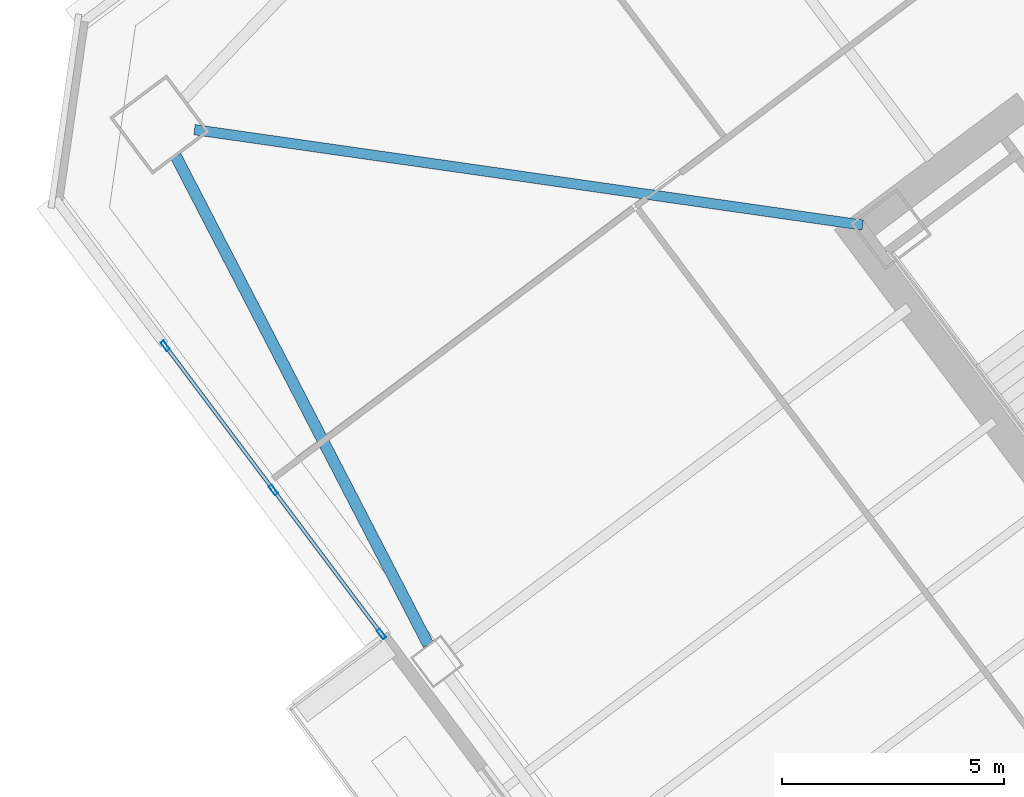
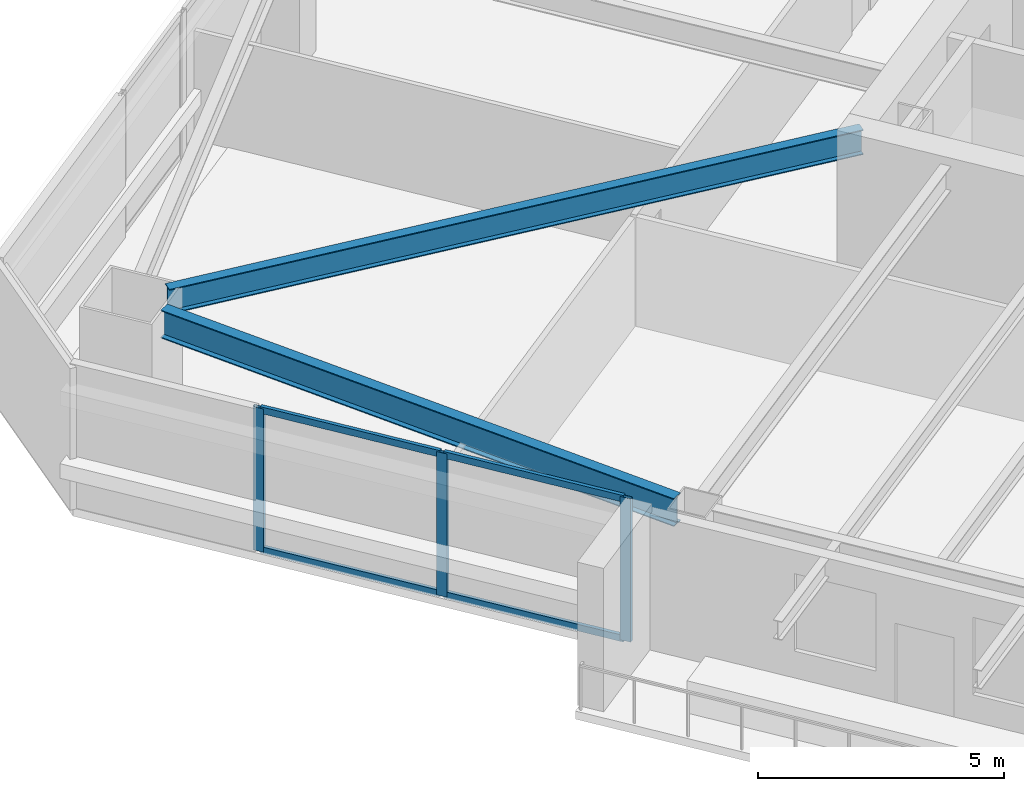
# One storey, part 21 of 46: 7 members, 2 beams, 1 element without a shape of its own.
"""IFC4 building model written with IfcOpenShell, lengths in metres."""

from ifc_helpers import new_model, si_unit, direction, frame, origin, origin_2d, place, context, subcontext, project, spatial, hollow_rectangle, i_section, extrude, material, material_profile, profile_set, type_object, element, aggregate, save


model = new_model("IFC4")

# Units and contexts
model_context = context("Model", 3, precision=1e-05, world=origin(), true_north=direction((0.0, 1.0)))
body_context = subcontext(model_context, "Body", "Model", "MODEL_VIEW")
ifc_project = project(units=[si_unit("LENGTHUNIT", "METRE"), si_unit("AREAUNIT", "SQUARE_METRE"), si_unit("VOLUMEUNIT", "CUBIC_METRE"), si_unit("PLANEANGLEUNIT", "RADIAN"), si_unit("MASSUNIT", "GRAM", prefix="KILO")], contexts=[model_context])

# Site, building, storey
site_placement = place(None, origin())
site = spatial("IfcSite", under=ifc_project, at=site_placement, CompositionType="ELEMENT")
building_placement = place(site_placement, origin())
building = spatial("IfcBuilding", under=site, at=building_placement, Name="Tashvorn Skyway Center", CompositionType="ELEMENT")
storey_placement = place(building_placement, frame((0.0, 0.0, 60.10009765625)))
storey = spatial("IfcBuildingStorey", under=building, at=storey_placement, Name="L15", CompositionType="ELEMENT", Elevation=60.10009765625)

# Beams
ifc_material_1 = material(Name="Steel ASTM A992 Grade 50", Category="steel")
ifc_material_profile_1 = material_profile(ifc_material_1, i_section(OverallWidth=0.22998046875, OverallDepth=0.616943359375, WebThickness=0.01318359375, FlangeThickness=0.022216796875, at=origin_2d()), Name="W24X94")
ifc_profile_set_1 = profile_set([ifc_material_profile_1], Name="Steel ASTM A992 Grade 50")
beam_type_1 = type_object("IfcBeamType", Name="BM-BEAM-W24X94", PredefinedType="BEAM", material=ifc_profile_set_1)
beam_1_placement = place(storey_placement, frame((88.467041015625, 35.6474609375, 3.04150390625), z_axis=(0.989950458816, -0.141414599991, 0.0), x_axis=(0.141414599991, 0.989950458816, 0.0)))
element("IfcBeam", 1, at=beam_1_placement, inside=storey, type_object=beam_type_1, Name="Tower 2 L15 Primary Floor Girder MC-NW", PredefinedType="BEAM", context=body_context, shape_type="SweptSolid", body=[
    extrude(i_section(OverallWidth=0.22998046875, OverallDepth=0.616943359375, WebThickness=0.01318359375, FlangeThickness=0.022216796875, at=origin_2d()), origin(), (0.0, 0.0, 1.0), 15.177001953125),
])
ifc_material_profile_2 = material_profile(ifc_material_1, i_section(OverallWidth=0.256103515625, OverallDepth=0.693115234375, WebThickness=0.014404296875, FlangeThickness=0.023681640625, at=origin_2d()), Name="W27X114")
ifc_profile_set_2 = profile_set([ifc_material_profile_2], Name="Steel ASTM A992 Grade 50")
beam_type_2 = type_object("IfcBeamType", Name="BM-SPANDREL-W27X114", PredefinedType="SPANDREL", material=ifc_profile_set_2)
beam_2_placement = place(storey_placement, frame((88.045166015625, 35.0537109375, 3.00341796875), z_axis=(0.459233413919, -0.888315637339, 0.0), x_axis=(0.888315637339, 0.459233413919, 0.0)))
element("IfcBeam", 2, at=beam_2_placement, inside=storey, type_object=beam_type_2, Name="Tower 2 L15 Spandrel Beam 10", PredefinedType="SPANDREL", context=body_context, shape_type="SweptSolid", body=[
    extrude(i_section(OverallWidth=0.256103515625, OverallDepth=0.693115234375, WebThickness=0.014404296875, FlangeThickness=0.023681640625, at=origin_2d()), origin(), (0.0, 0.0, 1.0), 12.37255859375),
])

# Curtain wall, members
ifc_material_2 = material(Name="Thermally broken bronze-anodized aluminium 6063-T6", Category="aluminium")
curtain_wall_type = type_object("IfcCurtainWallType", Name="CW-CW-Z1", PredefinedType="NOTDEFINED", material=ifc_material_2)
curtain_wall_placement = place(storey_placement, origin())
curtain_wall = element("IfcCurtainWall", 3, at=curtain_wall_placement, inside=storey, type_object=curtain_wall_type, Name="Tower 2 L15 West Curtain Wall R Glazing Group 1", PredefinedType="NOTDEFINED")
ifc_material_profile_3 = material_profile(ifc_material_2, hollow_rectangle(XDim=0.0849609375, YDim=0.239990234375, WallThickness=0.0048828125, at=origin_2d()), Name="ALU-MULL-85x240")
ifc_profile_set_3 = profile_set([ifc_material_profile_3], Name="Thermally broken bronze-anodized aluminium 6063-T6")
member_type_1 = type_object("IfcMemberType", Name="CWM-CW-Z1", PredefinedType="MULLION", material=ifc_profile_set_3)
member_1_placement = place(storey_placement, frame((92.67041015625, 24.305908203125, 0.0), z_axis=(0.0, 0.0, 1.0), x_axis=(-0.799998534192, -0.600001954406, 0.0)))
member_1 = element("IfcMember", 4, at=member_1_placement, type_object=member_type_1, Name="CW-Z1 mullion 1", PredefinedType="MULLION", context=body_context, shape_type="SweptSolid", body=[
    extrude(hollow_rectangle(XDim=0.0849609375, YDim=0.239990234375, WallThickness=0.0048828125, at=origin_2d()), origin(), (0.0, 0.0, 1.0), 3.5498046875),
])
member_2_placement = place(storey_placement, frame((90.239990234375, 27.546630859375, 0.0), z_axis=(0.0, 0.0, 1.0), x_axis=(-0.799998534192, -0.600001954406, 0.0)))
member_2 = element("IfcMember", 5, at=member_2_placement, type_object=member_type_1, Name="CW-Z1 mullion 2", PredefinedType="MULLION", context=body_context, shape_type="SweptSolid", body=[
    extrude(hollow_rectangle(XDim=0.0849609375, YDim=0.239990234375, WallThickness=0.0048828125, at=origin_2d()), origin(), (0.0, 0.0, 1.0), 3.5498046875),
])
member_3_placement = place(storey_placement, frame((87.8095703125, 30.787353515625, 0.0), z_axis=(0.0, 0.0, 1.0), x_axis=(-0.799998534192, -0.600001954406, 0.0)))
member_3 = element("IfcMember", 6, at=member_3_placement, type_object=member_type_1, Name="CW-Z1 mullion 3", PredefinedType="MULLION", context=body_context, shape_type="SweptSolid", body=[
    extrude(hollow_rectangle(XDim=0.0849609375, YDim=0.239990234375, WallThickness=0.0048828125, at=origin_2d()), origin(), (0.0, 0.0, 1.0), 3.5498046875),
])
ifc_material_profile_4 = material_profile(ifc_material_2, hollow_rectangle(XDim=0.0849609375, YDim=0.1650390625, WallThickness=0.0048828125, at=origin_2d()), Name="ALU-TRAN-85x165")
ifc_profile_set_4 = profile_set([ifc_material_profile_4], Name="Thermally broken bronze-anodized aluminium 6063-T6")
member_type_2 = type_object("IfcMemberType", Name="CWT-CW-Z1", PredefinedType="USERDEFINED", material=ifc_profile_set_4)
member_4_placement = place(storey_placement, frame((92.64501953125, 24.340087890625, 0.04248046875), z_axis=(-0.600029548599, 0.799977837698, 0.0), x_axis=(-0.799977837698, -0.600029548599, 0.0)))
member_4 = element("IfcMember", 7, at=member_4_placement, type_object=member_type_2, Name="CW-Z1 transom 1.1", ObjectType="TRANSOM", PredefinedType="USERDEFINED", context=body_context, shape_type="SweptSolid", body=[
    extrude(hollow_rectangle(XDim=0.0849609375, YDim=0.1650390625, WallThickness=0.0048828125, at=origin_2d()), origin(), (0.0, 0.0, 1.0), 3.9658203125),
])
member_5_placement = place(storey_placement, frame((92.64501953125, 24.340087890625, 3.50732421875), z_axis=(-0.600029548599, 0.799977837698, 0.0), x_axis=(-0.799977837698, -0.600029548599, 0.0)))
member_5 = element("IfcMember", 8, at=member_5_placement, type_object=member_type_2, Name="CW-Z1 transom 1.2", ObjectType="TRANSOM", PredefinedType="USERDEFINED", context=body_context, shape_type="SweptSolid", body=[
    extrude(hollow_rectangle(XDim=0.0849609375, YDim=0.1650390625, WallThickness=0.0048828125, at=origin_2d()), origin(), (0.0, 0.0, 1.0), 3.9658203125),
])
member_6_placement = place(storey_placement, frame((90.214599609375, 27.58056640625, 0.04248046875), z_axis=(-0.6, 0.8, 0.0), x_axis=(-0.8, -0.6, 0.0)))
member_6 = element("IfcMember", 9, at=member_6_placement, type_object=member_type_2, Name="CW-Z1 transom 2.1", ObjectType="TRANSOM", PredefinedType="USERDEFINED", context=body_context, shape_type="SweptSolid", body=[
    extrude(hollow_rectangle(XDim=0.0849609375, YDim=0.1650390625, WallThickness=0.0048828125, at=origin_2d()), origin(), (0.0, 0.0, 1.0), 3.966064453125),
])
member_7_placement = place(storey_placement, frame((90.214599609375, 27.58056640625, 3.50732421875), z_axis=(-0.6, 0.8, 0.0), x_axis=(-0.8, -0.6, 0.0)))
member_7 = element("IfcMember", 10, at=member_7_placement, type_object=member_type_2, Name="CW-Z1 transom 2.2", ObjectType="TRANSOM", PredefinedType="USERDEFINED", context=body_context, shape_type="SweptSolid", body=[
    extrude(hollow_rectangle(XDim=0.0849609375, YDim=0.1650390625, WallThickness=0.0048828125, at=origin_2d()), origin(), (0.0, 0.0, 1.0), 3.966064453125),
])
aggregate(curtain_wall, [member_1, member_2, member_3, member_4, member_5, member_6, member_7])

save(model, "model.ifc")
